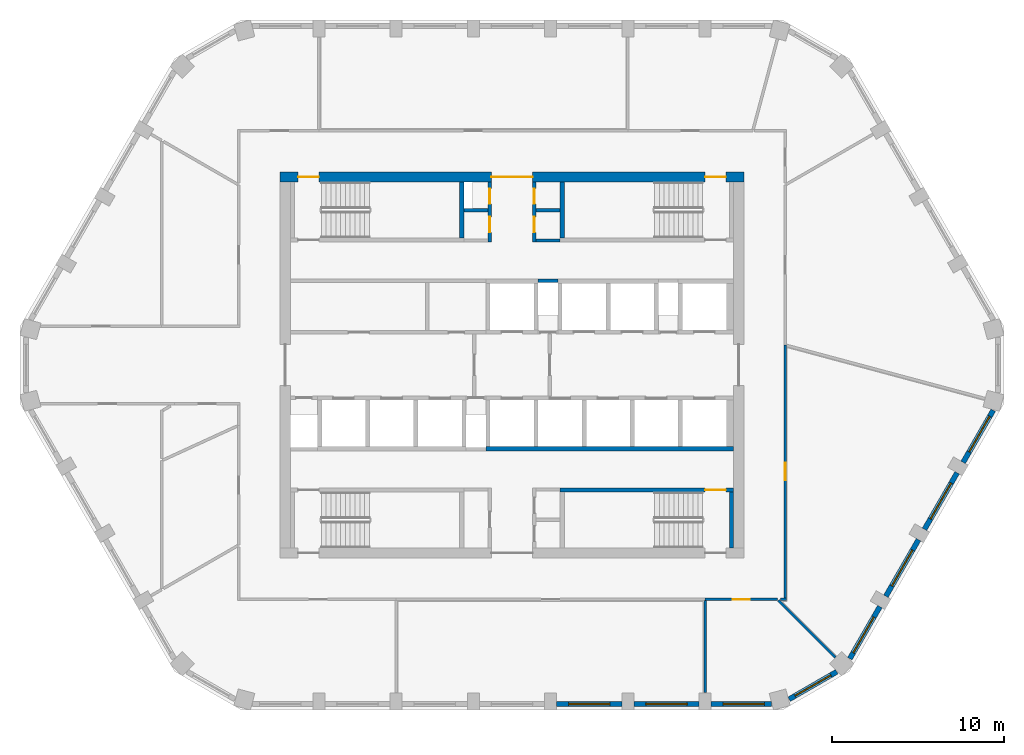
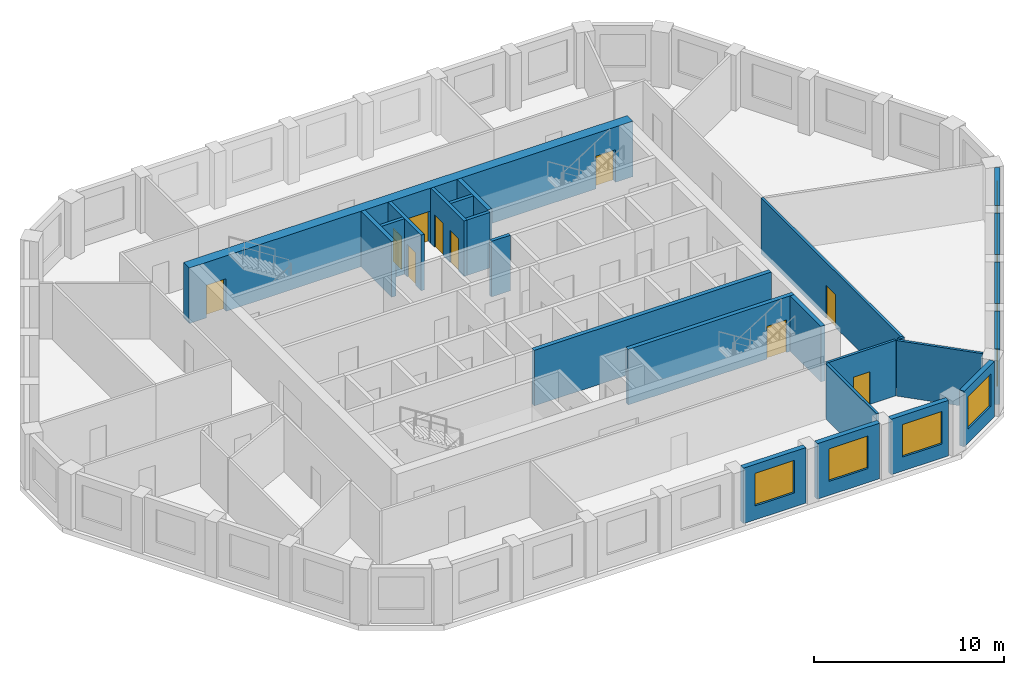
# One storey, part 4 of 10: 25 walls, 10 doors, 8 windows, 18 openings.
"""IFC4 building model written with IfcOpenShell, lengths in metres."""

from ifc_helpers import new_model, si_unit, direction, frame, frame_2d, origin, place, context, subcontext, project, spatial, polyline, rectangle, outline, extrude, material, layer, layer_set, type_object, element, fill, save


model = new_model("IFC4")

# Units and contexts
model_context = context("Model", 3, precision=1e-05, world=origin(), true_north=direction((0.0, 1.0)))
body_context = subcontext(model_context, "Body", "Model", "MODEL_VIEW")
ifc_project = project(units=[si_unit("LENGTHUNIT", "METRE"), si_unit("AREAUNIT", "SQUARE_METRE"), si_unit("VOLUMEUNIT", "CUBIC_METRE"), si_unit("PLANEANGLEUNIT", "RADIAN"), si_unit("MASSUNIT", "GRAM", prefix="KILO")], contexts=[model_context])

# Site, building, storey
site_placement = place(None, origin())
site = spatial("IfcSite", under=ifc_project, at=site_placement, CompositionType="ELEMENT")
building_placement = place(site_placement, origin())
building = spatial("IfcBuilding", under=site, at=building_placement, Name="Dhurran Vertical Campus", CompositionType="ELEMENT")
storey_placement = place(building_placement, frame((0.0, 0.0, 239.10009765625)))
storey = spatial("IfcBuildingStorey", under=building, at=storey_placement, Name="L59", CompositionType="ELEMENT", Elevation=239.10009765625)

# Wall, opening, window
ifc_material_1 = material(Name="Precast concrete C50/60", Category="concrete")
ifc_layer_1 = layer(ifc_material_1, 0.300048828125)
ifc_layer_set_1 = layer_set([ifc_layer_1], Name="Precast concrete C50/60")
wall_type_1 = type_object("IfcWallType", Name="Precast spandrel wall 300", PredefinedType="SOLIDWALL", material=ifc_layer_set_1)
wall_1_placement = place(storey_placement, frame((2.6005859375, -19.738525390625, 0.0), z_axis=(0.0, 0.0, 1.0), x_axis=(1.0, 0.0, 0.0)))
wall_1 = element("IfcWall", 1, at=wall_1_placement, inside=storey, type_object=wall_type_1, Name="EW1 L59.04", PredefinedType="SOLIDWALL", context=body_context, shape_type="SweptSolid", body=[
    extrude(rectangle(XDim=3.798828125, YDim=0.300048828125, at=frame_2d((1.8994140625, 0.0))), origin(), (0.0, 0.0, 1.0), 3.574951171875),
])
opening_1_placement = place(wall_1_placement, frame((0.699462890625, 0.0, 0.89990234375)))
opening_1 = element("IfcOpeningElement", 2, at=opening_1_placement, cuts=wall_1, Name="Opening WT1", PredefinedType="OPENING", context=body_context, shape_type="SweptSolid", body=[
    extrude(rectangle(XDim=2.39990234375, YDim=2.10009765625, at=frame_2d((1.199951171875, 1.050048828125))), frame((0.0, 0.159912109375, 0.0), z_axis=(0.0, -1.0, 0.0), x_axis=(1.0, 0.0, 0.0)), (0.0, 0.0, 1.0), 0.320068359375),
])
ifc_material_2 = material(Name="Aluminium frame with solar-control glass", Category="aluminium")
window_type = type_object("IfcWindowType", Name="Punched window 2400 x 2100", PartitioningType="SINGLE_PANEL", PredefinedType="WINDOW", material=ifc_material_2)
window_1_placement = place(opening_1_placement, origin())
window_1 = element("IfcWindow", 3, at=window_1_placement, inside=storey, type_object=window_type, Name="WT1 L59.04", OverallHeight=2.10009765625, OverallWidth=2.39990234375, PartitioningType="SINGLE_PANEL", PredefinedType="WINDOW", context=body_context, shape_type="SweptSolid", body=[
    extrude(rectangle(XDim=2.39990234375, YDim=2.10009765625, at=frame_2d((1.199951171875, 1.050048828125))), frame((0.0, 0.030029296875, 0.0), z_axis=(0.0, -1.0, 0.0), x_axis=(1.0, 0.0, 0.0)), (0.0, 0.0, 1.0), 0.06005859375),
])
fill(opening_1, window_1)

wall_2_placement = place(storey_placement, frame((7.1005859375, -19.738525390625, 0.0), z_axis=(0.0, 0.0, 1.0), x_axis=(1.0, 0.0, 0.0)))
wall_2 = element("IfcWall", 4, at=wall_2_placement, inside=storey, type_object=wall_type_1, Name="EW1 L59.05", PredefinedType="SOLIDWALL", context=body_context, shape_type="SweptSolid", body=[
    extrude(rectangle(XDim=3.798828125, YDim=0.300048828125, at=frame_2d((1.8994140625, 0.0))), origin(), (0.0, 0.0, 1.0), 3.574951171875),
])
opening_2_placement = place(wall_2_placement, frame((0.699462890625, 0.0, 0.89990234375)))
opening_2 = element("IfcOpeningElement", 5, at=opening_2_placement, cuts=wall_2, Name="Opening WT1", PredefinedType="OPENING", context=body_context, shape_type="SweptSolid", body=[
    extrude(rectangle(XDim=2.39990234375, YDim=2.10009765625, at=frame_2d((1.199951171875, 1.050048828125))), frame((0.0, 0.159912109375, 0.0), z_axis=(0.0, -1.0, 0.0), x_axis=(1.0, 0.0, 0.0)), (0.0, 0.0, 1.0), 0.320068359375),
])
window_2_placement = place(opening_2_placement, origin())
window_2 = element("IfcWindow", 6, at=window_2_placement, inside=storey, type_object=window_type, Name="WT1 L59.05", OverallHeight=2.10009765625, OverallWidth=2.39990234375, PartitioningType="SINGLE_PANEL", PredefinedType="WINDOW", context=body_context, shape_type="SweptSolid", body=[
    extrude(rectangle(XDim=2.39990234375, YDim=2.10009765625, at=frame_2d((1.199951171875, 1.050048828125))), frame((0.0, 0.030029296875, 0.0), z_axis=(0.0, -1.0, 0.0), x_axis=(1.0, 0.0, 0.0)), (0.0, 0.0, 1.0), 0.06005859375),
])
fill(opening_2, window_2)

wall_3_placement = place(storey_placement, frame((11.6005859375, -19.738525390625, 0.0), z_axis=(0.0, 0.0, 1.0), x_axis=(1.0, 0.0, 0.0)))
wall_3 = element("IfcWall", 7, at=wall_3_placement, inside=storey, type_object=wall_type_1, Name="EW1 L59.06", PredefinedType="SOLIDWALL", context=body_context, shape_type="SweptSolid", body=[
    extrude(rectangle(XDim=3.49755859375, YDim=0.300048828125, at=frame_2d((1.748779296875, 0.0))), origin(), (0.0, 0.0, 1.0), 3.574951171875),
])
opening_3_placement = place(wall_3_placement, frame((0.699462890625, 0.0, 0.89990234375)))
opening_3 = element("IfcOpeningElement", 8, at=opening_3_placement, cuts=wall_3, Name="Opening WT1", PredefinedType="OPENING", context=body_context, shape_type="SweptSolid", body=[
    extrude(rectangle(XDim=2.39990234375, YDim=2.10009765625, at=frame_2d((1.199951171875, 1.050048828125))), frame((0.0, 0.159912109375, 0.0), z_axis=(0.0, -1.0, 0.0), x_axis=(1.0, 0.0, 0.0)), (0.0, 0.0, 1.0), 0.320068359375),
])
window_3_placement = place(opening_3_placement, origin())
window_3 = element("IfcWindow", 9, at=window_3_placement, inside=storey, type_object=window_type, Name="WT1 L59.06", OverallHeight=2.10009765625, OverallWidth=2.39990234375, PartitioningType="SINGLE_PANEL", PredefinedType="WINDOW", context=body_context, shape_type="SweptSolid", body=[
    extrude(rectangle(XDim=2.39990234375, YDim=2.10009765625, at=frame_2d((1.199951171875, 1.050048828125))), frame((0.0, 0.030029296875, 0.0), z_axis=(0.0, -1.0, 0.0), x_axis=(1.0, 0.0, 0.0)), (0.0, 0.0, 1.0), 0.06005859375),
])
fill(opening_3, window_3)

wall_4_placement = place(storey_placement, frame((16.1396484375, -19.45947265625, 0.0), z_axis=(0.0, 0.0, 1.0), x_axis=(0.866025316205, 0.500000151692, 0.0)))
wall_4 = element("IfcWall", 10, at=wall_4_placement, inside=storey, type_object=wall_type_1, Name="EW1 L59.07", PredefinedType="SOLIDWALL", context=body_context, shape_type="SweptSolid", body=[
    extrude(rectangle(XDim=3.1962890625, YDim=0.300048828125, at=frame_2d((1.59814453125, 0.0))), origin(), (0.0, 0.0, 1.0), 3.574951171875),
])
opening_4_placement = place(wall_4_placement, frame((0.398193359375, 0.0, 0.89990234375)))
opening_4 = element("IfcOpeningElement", 11, at=opening_4_placement, cuts=wall_4, Name="Opening WT1", PredefinedType="OPENING", context=body_context, shape_type="SweptSolid", body=[
    extrude(rectangle(XDim=2.39990234375, YDim=2.10009765625, at=frame_2d((1.199951171875, 1.050048828125))), frame((0.0, 0.159912109375, 0.0), z_axis=(0.0, -1.0, 0.0), x_axis=(1.0, 0.0, 0.0)), (0.0, 0.0, 1.0), 0.320068359375),
])
window_4_placement = place(opening_4_placement, origin())
window_4 = element("IfcWindow", 12, at=window_4_placement, inside=storey, type_object=window_type, Name="WT1 L59.07", OverallHeight=2.10009765625, OverallWidth=2.39990234375, PartitioningType="SINGLE_PANEL", PredefinedType="WINDOW", context=body_context, shape_type="SweptSolid", body=[
    extrude(rectangle(XDim=2.39990234375, YDim=2.10009765625, at=frame_2d((1.199951171875, 1.050048828125))), frame((0.0, 0.030029296875, 0.0), z_axis=(0.0, -1.0, 0.0), x_axis=(1.0, 0.0, 0.0)), (0.0, 0.0, 1.0), 0.06005859375),
])
fill(opening_4, window_4)

wall_5_placement = place(storey_placement, frame((19.669921875, -17.09912109375, 0.0), z_axis=(0.0, 0.0, 1.0), x_axis=(0.499960102815, 0.866048437209, 0.0)))
wall_5 = element("IfcWall", 13, at=wall_5_placement, inside=storey, type_object=wall_type_1, Name="EW1 L59.08", PredefinedType="SOLIDWALL", context=body_context, shape_type="SweptSolid", body=[
    extrude(rectangle(XDim=3.497802734375, YDim=0.300048828125, at=frame_2d((1.7490234375, 0.0))), origin(), (0.0, 0.0, 1.0), 3.574951171875),
])
opening_5_placement = place(wall_5_placement, frame((0.398193359375, 0.0, 0.89990234375)))
opening_5 = element("IfcOpeningElement", 14, at=opening_5_placement, cuts=wall_5, Name="Opening WT1", PredefinedType="OPENING", context=body_context, shape_type="SweptSolid", body=[
    extrude(rectangle(XDim=2.39990234375, YDim=2.10009765625, at=frame_2d((1.199951171875, 1.050048828125))), frame((0.0, 0.159912109375, 0.0), z_axis=(0.0, -1.0, 0.0), x_axis=(1.0, 0.0, 0.0)), (0.0, 0.0, 1.0), 0.320068359375),
])
window_5_placement = place(opening_5_placement, origin())
window_5 = element("IfcWindow", 15, at=window_5_placement, inside=storey, type_object=window_type, Name="WT1 L59.08", OverallHeight=2.10009765625, OverallWidth=2.39990234375, PartitioningType="SINGLE_PANEL", PredefinedType="WINDOW", context=body_context, shape_type="SweptSolid", body=[
    extrude(rectangle(XDim=2.39990234375, YDim=2.10009765625, at=frame_2d((1.199951171875, 1.050048828125))), frame((0.0, 0.030029296875, 0.0), z_axis=(0.0, -1.0, 0.0), x_axis=(1.0, 0.0, 0.0)), (0.0, 0.0, 1.0), 0.06005859375),
])
fill(opening_5, window_5)

wall_6_placement = place(storey_placement, frame((21.769287109375, -13.462890625, 0.0), z_axis=(0.0, 0.0, 1.0), x_axis=(0.499982058975, 0.866035761792, 0.0)))
wall_6 = element("IfcWall", 16, at=wall_6_placement, inside=storey, type_object=wall_type_1, Name="EW1 L59.09", PredefinedType="SOLIDWALL", context=body_context, shape_type="SweptSolid", body=[
    extrude(rectangle(XDim=3.799072265625, YDim=0.300048828125, at=frame_2d((1.8994140625, 0.0))), origin(), (0.0, 0.0, 1.0), 3.574951171875),
])
opening_6_placement = place(wall_6_placement, frame((0.699462890625, 0.0, 0.89990234375)))
opening_6 = element("IfcOpeningElement", 17, at=opening_6_placement, cuts=wall_6, Name="Opening WT1", PredefinedType="OPENING", context=body_context, shape_type="SweptSolid", body=[
    extrude(rectangle(XDim=2.39990234375, YDim=2.10009765625, at=frame_2d((1.199951171875, 1.050048828125))), frame((0.0, 0.159912109375, 0.0), z_axis=(0.0, -1.0, 0.0), x_axis=(1.0, 0.0, 0.0)), (0.0, 0.0, 1.0), 0.320068359375),
])
window_6_placement = place(opening_6_placement, origin())
window_6 = element("IfcWindow", 18, at=window_6_placement, inside=storey, type_object=window_type, Name="WT1 L59.09", OverallHeight=2.10009765625, OverallWidth=2.39990234375, PartitioningType="SINGLE_PANEL", PredefinedType="WINDOW", context=body_context, shape_type="SweptSolid", body=[
    extrude(rectangle(XDim=2.39990234375, YDim=2.10009765625, at=frame_2d((1.199951171875, 1.050048828125))), frame((0.0, 0.030029296875, 0.0), z_axis=(0.0, -1.0, 0.0), x_axis=(1.0, 0.0, 0.0)), (0.0, 0.0, 1.0), 0.06005859375),
])
fill(opening_6, window_6)

wall_7_placement = place(storey_placement, frame((24.019287109375, -9.565673828125, 0.0), z_axis=(0.0, 0.0, 1.0), x_axis=(0.499982058975, 0.866035761792, 0.0)))
wall_7 = element("IfcWall", 19, at=wall_7_placement, inside=storey, type_object=wall_type_1, Name="EW1 L59.10", PredefinedType="SOLIDWALL", context=body_context, shape_type="SweptSolid", body=[
    extrude(rectangle(XDim=3.799072265625, YDim=0.300048828125, at=frame_2d((1.8994140625, 0.0))), origin(), (0.0, 0.0, 1.0), 3.574951171875),
])
opening_7_placement = place(wall_7_placement, frame((0.699462890625, 0.0, 0.89990234375)))
opening_7 = element("IfcOpeningElement", 20, at=opening_7_placement, cuts=wall_7, Name="Opening WT1", PredefinedType="OPENING", context=body_context, shape_type="SweptSolid", body=[
    extrude(rectangle(XDim=2.39990234375, YDim=2.10009765625, at=frame_2d((1.199951171875, 1.050048828125))), frame((0.0, 0.159912109375, 0.0), z_axis=(0.0, -1.0, 0.0), x_axis=(1.0, 0.0, 0.0)), (0.0, 0.0, 1.0), 0.320068359375),
])
window_7_placement = place(opening_7_placement, origin())
window_7 = element("IfcWindow", 21, at=window_7_placement, inside=storey, type_object=window_type, Name="WT1 L59.10", OverallHeight=2.10009765625, OverallWidth=2.39990234375, PartitioningType="SINGLE_PANEL", PredefinedType="WINDOW", context=body_context, shape_type="SweptSolid", body=[
    extrude(rectangle(XDim=2.39990234375, YDim=2.10009765625, at=frame_2d((1.199951171875, 1.050048828125))), frame((0.0, 0.030029296875, 0.0), z_axis=(0.0, -1.0, 0.0), x_axis=(1.0, 0.0, 0.0)), (0.0, 0.0, 1.0), 0.06005859375),
])
fill(opening_7, window_7)

wall_8_placement = place(storey_placement, frame((26.269287109375, -5.668701171875, 0.0), z_axis=(0.0, 0.0, 1.0), x_axis=(0.499990325971, 0.866030989016, 0.0)))
wall_8 = element("IfcWall", 22, at=wall_8_placement, inside=storey, type_object=wall_type_1, Name="EW1 L59.11", PredefinedType="SOLIDWALL", context=body_context, shape_type="SweptSolid", body=[
    extrude(rectangle(XDim=3.49755859375, YDim=0.300048828125, at=frame_2d((1.748779296875, 0.0))), origin(), (0.0, 0.0, 1.0), 3.574951171875),
])
opening_8_placement = place(wall_8_placement, frame((0.699462890625, 0.0, 0.89990234375)))
opening_8 = element("IfcOpeningElement", 23, at=opening_8_placement, cuts=wall_8, Name="Opening WT1", PredefinedType="OPENING", context=body_context, shape_type="SweptSolid", body=[
    extrude(rectangle(XDim=2.39990234375, YDim=2.10009765625, at=frame_2d((1.199951171875, 1.050048828125))), frame((0.0, 0.159912109375, 0.0), z_axis=(0.0, -1.0, 0.0), x_axis=(1.0, 0.0, 0.0)), (0.0, 0.0, 1.0), 0.320068359375),
])
window_8_placement = place(opening_8_placement, origin())
window_8 = element("IfcWindow", 24, at=window_8_placement, inside=storey, type_object=window_type, Name="WT1 L59.11", OverallHeight=2.10009765625, OverallWidth=2.39990234375, PartitioningType="SINGLE_PANEL", PredefinedType="WINDOW", context=body_context, shape_type="SweptSolid", body=[
    extrude(rectangle(XDim=2.39990234375, YDim=2.10009765625, at=frame_2d((1.199951171875, 1.050048828125))), frame((0.0, 0.030029296875, 0.0), z_axis=(0.0, -1.0, 0.0), x_axis=(1.0, 0.0, 0.0)), (0.0, 0.0, 1.0), 0.06005859375),
])
fill(opening_8, window_8)

# Wall, openings, doors
ifc_material_3 = material(Name="Concrete C50/60", Category="concrete")
ifc_layer_2 = layer(ifc_material_3, 0.60009765625)
ifc_layer_set_2 = layer_set([ifc_layer_2], Name="Concrete C50/60")
wall_type_2 = type_object("IfcWallType", Name="co-CORE-WALL-C2-600", PredefinedType="SHEAR", material=ifc_layer_set_2)
wall_9_placement = place(storey_placement, frame((-13.5, 10.949951171875, 0.0), z_axis=(0.0, 0.0, 1.0), x_axis=(1.0, 0.0, 0.0)))
wall_9 = element("IfcWall", 25, at=wall_9_placement, inside=storey, type_object=wall_type_2, Name="Core wall N L59", PredefinedType="SHEAR", context=body_context, shape_type="SweptSolid", body=[
    extrude(rectangle(XDim=27.0, YDim=0.60009765625, at=frame_2d((13.5, 0.0))), origin(), (0.0, 0.0, 1.0), 3.574951171875),
])
opening_9_placement = place(wall_9_placement, frame((12.300048828125, 0.0, 0.0)))
opening_9 = element("IfcOpeningElement", 26, at=opening_9_placement, cuts=wall_9, Name="Opening CV1", PredefinedType="OPENING", context=body_context, shape_type="SweptSolid", body=[
    extrude(rectangle(XDim=2.39990234375, YDim=2.10009765625, at=frame_2d((1.199951171875, 1.050048828125))), frame((0.0, 0.31005859375, 0.0), z_axis=(0.0, -1.0, 0.0), x_axis=(1.0, 0.0, 0.0)), (0.0, 0.0, 1.0), 0.6201171875),
])
opening_10_placement = place(wall_9_placement, frame((1.050048828125, 0.0, 0.0)))
opening_10 = element("IfcOpeningElement", 27, at=opening_10_placement, cuts=wall_9, Name="Opening XD1", PredefinedType="OPENING", context=body_context, shape_type="SweptSolid", body=[
    extrude(rectangle(XDim=1.199951171875, YDim=2.10009765625, at=frame_2d((0.60009765625, 1.050048828125))), frame((0.0, 0.31005859375, 0.0), z_axis=(0.0, -1.0, 0.0), x_axis=(1.0, 0.0, 0.0)), (0.0, 0.0, 1.0), 0.6201171875),
])
opening_11_placement = place(wall_9_placement, frame((24.75, 0.0, 0.0)))
opening_11 = element("IfcOpeningElement", 28, at=opening_11_placement, cuts=wall_9, Name="Opening XD2", PredefinedType="OPENING", context=body_context, shape_type="SweptSolid", body=[
    extrude(rectangle(XDim=1.199951171875, YDim=2.10009765625, at=frame_2d((0.60009765625, 1.050048828125))), frame((0.0, 0.31005859375, 0.0), z_axis=(0.0, -1.0, 0.0), x_axis=(1.0, 0.0, 0.0)), (0.0, 0.0, 1.0), 0.6201171875),
])
ifc_material_4 = material(Name="Fire-rated glazed door set")
door_type_1 = type_object("IfcDoorType", Name="co-D-LOBBY 2400x2100", OperationType="DOUBLE_DOOR_DOUBLE_SWING", PredefinedType="DOOR", material=ifc_material_4)
door_1_placement = place(opening_9_placement, origin())
door_1 = element("IfcDoor", 29, at=door_1_placement, inside=storey, type_object=door_type_1, Name="Core vestibule door N L59", OperationType="DOUBLE_DOOR_DOUBLE_SWING", OverallHeight=2.10009765625, OverallWidth=2.39990234375, PredefinedType="DOOR", context=body_context, shape_type="SweptSolid", body=[
    extrude(rectangle(XDim=2.39990234375, YDim=2.10009765625, at=frame_2d((1.199951171875, 1.050048828125))), frame((0.0, 0.02490234375, 0.0), z_axis=(0.0, -1.0, 0.0), x_axis=(1.0, 0.0, 0.0)), (0.0, 0.0, 1.0), 0.050048828125),
])
fill(opening_9, door_1)
ifc_material_5 = material(Name="Fire-rated steel door set", Category="steel")
door_type_2 = type_object("IfcDoorType", Name="co-D-STAIR-EXIT 1200x2100", OperationType="SINGLE_SWING_RIGHT", PredefinedType="DOOR", material=ifc_material_5)
door_2_placement = place(opening_10_placement, origin())
door_2 = element("IfcDoor", 30, at=door_2_placement, inside=storey, type_object=door_type_2, Name="Stair ST1 exit door L59", OperationType="SINGLE_SWING_RIGHT", OverallHeight=2.10009765625, OverallWidth=1.199951171875, PredefinedType="DOOR", context=body_context, shape_type="SweptSolid", body=[
    extrude(rectangle(XDim=1.199951171875, YDim=2.10009765625, at=frame_2d((0.60009765625, 1.050048828125))), frame((0.0, 0.02490234375, 0.0), z_axis=(0.0, -1.0, 0.0), x_axis=(1.0, 0.0, 0.0)), (0.0, 0.0, 1.0), 0.050048828125),
])
fill(opening_10, door_2)
door_3_placement = place(opening_11_placement, origin())
door_3 = element("IfcDoor", 31, at=door_3_placement, inside=storey, type_object=door_type_2, Name="Stair ST2 exit door L59", OperationType="SINGLE_SWING_RIGHT", OverallHeight=2.10009765625, OverallWidth=1.199951171875, PredefinedType="DOOR", context=body_context, shape_type="SweptSolid", body=[
    extrude(rectangle(XDim=1.199951171875, YDim=2.10009765625, at=frame_2d((0.60009765625, 1.050048828125))), frame((0.0, 0.02490234375, 0.0), z_axis=(0.0, -1.0, 0.0), x_axis=(1.0, 0.0, 0.0)), (0.0, 0.0, 1.0), 0.050048828125),
])
fill(opening_11, door_3)

# Walls
ifc_material_6 = material(Name="Fire-rated masonry blockwork", Category="masonry")
ifc_layer_3 = layer(ifc_material_6, 0.199951171875)
ifc_layer_set_3 = layer_set([ifc_layer_3], Name="Fire-rated masonry blockwork")
wall_type_3 = type_object("IfcWallType", Name="co-FIRE-PARTITION-200", PredefinedType="PARTITIONING", material=ifc_layer_set_3)
for number, where, z_axis, x_axis, name in (
    (32, (-2.800048828125, 9.0, 0.0), (0.0, 0.0, 1.0), (1.0, 0.0, 0.0), "Core partition sl-NW-cut0 L59"),
    (33, (1.39990234375, 7.25, 0.0), (0.0, 0.0, 1.0), (1.0, 0.0, 0.0), "Core partition sl-NE-S L59"),
    (34, (1.39990234375, 9.0, 0.0), (0.0, 0.0, 1.0), (1.0, 0.0, 0.0), "Core partition sl-NE-cut0 L59"),
):
    element("IfcWall", number, at=place(storey_placement, frame(where, z_axis=z_axis, x_axis=x_axis)), inside=storey, type_object=wall_type_3, Name=name, PredefinedType="PARTITIONING", context=body_context, shape_type="SweptSolid", body=[
        extrude(rectangle(XDim=1.400146484375, YDim=0.199951171875, at=frame_2d((0.7001953125, 0.0))), origin(), (0.0, 0.0, 1.0), 3.574951171875),
    ])

# Wall, openings, doors
wall_10_placement = place(storey_placement, frame((-1.300048828125, 7.14990234375, 0.0), z_axis=(0.0, 0.0, 1.0), x_axis=(0.0, 1.0, 0.0)))
wall_10 = element("IfcWall", 35, at=wall_10_placement, inside=storey, type_object=wall_type_3, Name="Core partition vest-NW L59", PredefinedType="PARTITIONING", context=body_context, shape_type="SweptSolid", body=[
    extrude(rectangle(XDim=3.5, YDim=0.199951171875, at=frame_2d((1.75, 0.0))), origin(), (0.0, 0.0, 1.0), 3.574951171875),
])
opening_12_placement = place(wall_10_placement, frame((0.574951171875, 0.0, 0.0)))
opening_12 = element("IfcOpeningElement", 36, at=opening_12_placement, cuts=wall_10, Name="Opening T17-C4", PredefinedType="OPENING", context=body_context, shape_type="SweptSolid", body=[
    extrude(rectangle(XDim=0.89990234375, YDim=2.10009765625, at=frame_2d((0.449951171875, 1.050048828125))), frame((0.0, 0.10986328125, 0.0), z_axis=(0.0, -1.0, 0.0), x_axis=(1.0, 0.0, 0.0)), (0.0, 0.0, 1.0), 0.219970703125),
])
opening_13_placement = place(wall_10_placement, frame((2.22509765625, 0.0, 0.0)))
opening_13 = element("IfcOpeningElement", 37, at=opening_13_placement, cuts=wall_10, Name="Opening T17-C5", PredefinedType="OPENING", context=body_context, shape_type="SweptSolid", body=[
    extrude(rectangle(XDim=0.89990234375, YDim=2.10009765625, at=frame_2d((0.449951171875, 1.050048828125))), frame((0.0, 0.10986328125, 0.0), z_axis=(0.0, -1.0, 0.0), x_axis=(1.0, 0.0, 0.0)), (0.0, 0.0, 1.0), 0.219970703125),
])
ifc_material_7 = material(Name="Fire-rated timber door set", Category="wood")
door_type_3 = type_object("IfcDoorType", Name="co-D-ROOM 900x2100", OperationType="SINGLE_SWING_LEFT", PredefinedType="DOOR", material=ifc_material_7)
door_4_placement = place(opening_12_placement, origin())
door_4 = element("IfcDoor", 38, at=door_4_placement, inside=storey, type_object=door_type_3, Name="Waste room door L59", OperationType="SINGLE_SWING_LEFT", OverallHeight=2.10009765625, OverallWidth=0.89990234375, PredefinedType="DOOR", context=body_context, shape_type="SweptSolid", body=[
    extrude(rectangle(XDim=0.89990234375, YDim=2.10009765625, at=frame_2d((0.449951171875, 1.050048828125))), frame((0.0, 0.02490234375, 0.0), z_axis=(0.0, -1.0, 0.0), x_axis=(1.0, 0.0, 0.0)), (0.0, 0.0, 1.0), 0.050048828125),
])
fill(opening_12, door_4)
door_5_placement = place(opening_13_placement, origin())
door_5 = element("IfcDoor", 39, at=door_5_placement, inside=storey, type_object=door_type_3, Name="Electrical riser door L59", OperationType="SINGLE_SWING_LEFT", OverallHeight=2.10009765625, OverallWidth=0.89990234375, PredefinedType="DOOR", context=body_context, shape_type="SweptSolid", body=[
    extrude(rectangle(XDim=0.89990234375, YDim=2.10009765625, at=frame_2d((0.449951171875, 1.050048828125))), frame((0.0, 0.02490234375, 0.0), z_axis=(0.0, -1.0, 0.0), x_axis=(1.0, 0.0, 0.0)), (0.0, 0.0, 1.0), 0.050048828125),
])
fill(opening_13, door_5)

wall_11_placement = place(storey_placement, frame((1.300048828125, 7.14990234375, 0.0), z_axis=(0.0, 0.0, 1.0), x_axis=(0.0, 1.0, 0.0)))
wall_11 = element("IfcWall", 40, at=wall_11_placement, inside=storey, type_object=wall_type_3, Name="Core partition vest-NE L59", PredefinedType="PARTITIONING", context=body_context, shape_type="SweptSolid", body=[
    extrude(rectangle(XDim=3.5, YDim=0.199951171875, at=frame_2d((1.75, 0.0))), origin(), (0.0, 0.0, 1.0), 3.574951171875),
])
opening_14_placement = place(wall_11_placement, frame((0.574951171875, 0.0, 0.0)))
opening_14 = element("IfcOpeningElement", 41, at=opening_14_placement, cuts=wall_11, Name="Opening T17-C6", PredefinedType="OPENING", context=body_context, shape_type="SweptSolid", body=[
    extrude(rectangle(XDim=0.89990234375, YDim=2.10009765625, at=frame_2d((0.449951171875, 1.050048828125))), frame((0.0, 0.10986328125, 0.0), z_axis=(0.0, -1.0, 0.0), x_axis=(1.0, 0.0, 0.0)), (0.0, 0.0, 1.0), 0.219970703125),
])
opening_15_placement = place(wall_11_placement, frame((2.22509765625, 0.0, 0.0)))
opening_15 = element("IfcOpeningElement", 42, at=opening_15_placement, cuts=wall_11, Name="Opening T17-C7", PredefinedType="OPENING", context=body_context, shape_type="SweptSolid", body=[
    extrude(rectangle(XDim=0.89990234375, YDim=2.10009765625, at=frame_2d((0.449951171875, 1.050048828125))), frame((0.0, 0.10986328125, 0.0), z_axis=(0.0, -1.0, 0.0), x_axis=(1.0, 0.0, 0.0)), (0.0, 0.0, 1.0), 0.219970703125),
])
door_6_placement = place(opening_14_placement, origin())
door_6 = element("IfcDoor", 43, at=door_6_placement, inside=storey, type_object=door_type_3, Name="Pantry door L59", OperationType="SINGLE_SWING_LEFT", OverallHeight=2.10009765625, OverallWidth=0.89990234375, PredefinedType="DOOR", context=body_context, shape_type="SweptSolid", body=[
    extrude(rectangle(XDim=0.89990234375, YDim=2.10009765625, at=frame_2d((0.449951171875, 1.050048828125))), frame((0.0, 0.02490234375, 0.0), z_axis=(0.0, -1.0, 0.0), x_axis=(1.0, 0.0, 0.0)), (0.0, 0.0, 1.0), 0.050048828125),
])
fill(opening_14, door_6)
door_7_placement = place(opening_15_placement, origin())
door_7 = element("IfcDoor", 44, at=door_7_placement, inside=storey, type_object=door_type_3, Name="Housekeeping store door L59", OperationType="SINGLE_SWING_LEFT", OverallHeight=2.10009765625, OverallWidth=0.89990234375, PredefinedType="DOOR", context=body_context, shape_type="SweptSolid", body=[
    extrude(rectangle(XDim=0.89990234375, YDim=2.10009765625, at=frame_2d((0.449951171875, 1.050048828125))), frame((0.0, 0.02490234375, 0.0), z_axis=(0.0, -1.0, 0.0), x_axis=(1.0, 0.0, 0.0)), (0.0, 0.0, 1.0), 0.050048828125),
])
fill(opening_15, door_7)

# Walls
wall_12_placement = place(storey_placement, frame((1.52490234375, 4.89990234375, 0.0), z_axis=(0.0, 0.0, 1.0), x_axis=(1.0, 0.0, 0.0)))
element("IfcWall", 45, at=wall_12_placement, inside=storey, type_object=wall_type_3, Name="Core partition fr-N1-b L59", PredefinedType="PARTITIONING", context=body_context, shape_type="SweptSolid", body=[
    extrude(rectangle(XDim=1.150146484375, YDim=0.199951171875, at=frame_2d((0.5751953125, 0.0))), origin(), (0.0, 0.0, 1.0), 3.574951171875),
])
ifc_material_8 = material(Name="Concrete C50/60", Category="concrete")
ifc_layer_4 = layer(ifc_material_8, 0.25)
ifc_layer_set_4 = layer_set([ifc_layer_4], Name="Concrete C50/60")
wall_type_4 = type_object("IfcWallType", Name="co-SHAFT-MASS-250", PredefinedType="SHEAR", material=ifc_layer_set_4)
wall_13_placement = place(storey_placement, origin())
element("IfcWall", 46, at=wall_13_placement, inside=storey, type_object=wall_type_4, Name="Lift shaft wall S L59 2", PredefinedType="SHEAR", context=body_context, shape_type="SweptSolid", body=[
    extrude(outline(polyline([(-1.52490234375, -5.0), (12.89990234375, -5.0), (12.89990234375, -4.75), (-1.52490234375, -4.75), (-1.52490234375, -5.0)])), origin(), (0.0, 0.0, 1.0), 3.574951171875),
])
ifc_material_9 = material(Name="Concrete C40/50", Category="concrete")
ifc_layer_5 = layer(ifc_material_9, 0.25)
ifc_layer_set_5 = layer_set([ifc_layer_5], Name="Concrete C40/50")
wall_type_5 = type_object("IfcWallType", Name="co-STAIR-WALL-250", PredefinedType="SHEAR", material=ifc_layer_set_5)
for number, where, z_axis, x_axis, name in (
    (47, (-2.925048828125, 7.39990234375, 0.0), (0.0, 0.0, 1.0), (0.0, 1.0, 0.0), "Stair ST1 enclosure wall L59"),
    (48, (2.925048828125, 7.39990234375, 0.0), (0.0, 0.0, 1.0), (0.0, 1.0, 0.0), "Stair ST2 enclosure wall L59"),
):
    element("IfcWall", number, at=place(storey_placement, frame(where, z_axis=z_axis, x_axis=x_axis)), inside=storey, type_object=wall_type_5, Name=name, PredefinedType="SHEAR", context=body_context, shape_type="SweptSolid", body=[
        extrude(rectangle(XDim=3.25, YDim=0.25, at=frame_2d((1.625, 0.0))), origin(), (0.0, 0.0, 1.0), 3.574951171875),
    ])

# Wall, opening, door
wall_14_placement = place(storey_placement, frame((2.800048828125, -7.27490234375, 0.0), z_axis=(0.0, 0.0, 1.0), x_axis=(1.0, 0.0, 0.0)))
wall_14 = element("IfcWall", 49, at=wall_14_placement, inside=storey, type_object=wall_type_5, Name="Stair ST4 enclosure wall L59", PredefinedType="SHEAR", context=body_context, shape_type="SweptSolid", body=[
    extrude(rectangle(XDim=10.099853515625, YDim=0.25, at=frame_2d((5.0498046875, 0.0))), origin(), (0.0, 0.0, 1.0), 3.574951171875),
])
opening_16_placement = place(wall_14_placement, frame((8.449951171875, 0.0, 0.0)))
opening_16 = element("IfcOpeningElement", 50, at=opening_16_placement, cuts=wall_14, Name="Opening SD4", PredefinedType="OPENING", context=body_context, shape_type="SweptSolid", body=[
    extrude(rectangle(XDim=1.199951171875, YDim=2.10009765625, at=frame_2d((0.60009765625, 1.050048828125))), frame((0.0, 0.135009765625, 0.0), z_axis=(0.0, -1.0, 0.0), x_axis=(1.0, 0.0, 0.0)), (0.0, 0.0, 1.0), 0.27001953125),
])
ifc_material_10 = material(Name="Fire-rated steel door set", Category="steel")
door_type_4 = type_object("IfcDoorType", Name="co-D-STAIR 1200x2100", OperationType="SINGLE_SWING_LEFT", PredefinedType="DOOR", material=ifc_material_10)
door_8_placement = place(opening_16_placement, origin())
door_8 = element("IfcDoor", 51, at=door_8_placement, inside=storey, type_object=door_type_4, Name="Stair ST4 door L59", OperationType="SINGLE_SWING_LEFT", OverallHeight=2.10009765625, OverallWidth=1.199951171875, PredefinedType="DOOR", context=body_context, shape_type="SweptSolid", body=[
    extrude(rectangle(XDim=1.199951171875, YDim=2.10009765625, at=frame_2d((0.60009765625, 1.050048828125))), frame((0.0, 0.02490234375, 0.0), z_axis=(0.0, -1.0, 0.0), x_axis=(1.0, 0.0, 0.0)), (0.0, 0.0, 1.0), 0.050048828125),
])
fill(opening_16, door_8)

# Wall
wall_15_placement = place(storey_placement, frame((12.77490234375, -10.64990234375, 0.0), z_axis=(0.0, 0.0, 1.0), x_axis=(0.0, 1.0, 0.0)))
element("IfcWall", 52, at=wall_15_placement, inside=storey, type_object=wall_type_5, Name="Stair ST4 enclosure wall L59", PredefinedType="SHEAR", context=body_context, shape_type="SweptSolid", body=[
    extrude(rectangle(XDim=3.25, YDim=0.25, at=frame_2d((1.625, 0.0))), origin(), (0.0, 0.0, 1.0), 3.574951171875),
])

# Wall, opening, door
ifc_material_11 = material(Name="Gypsum board corridor wall on steel studs", Category="steel")
ifc_layer_6 = layer(ifc_material_11, 0.14990234375)
ifc_layer_set_6 = layer_set([ifc_layer_6], Name="Gypsum board corridor wall on steel studs")
wall_type_6 = type_object("IfcWallType", Name="fl-CW-150 corridor wall", PredefinedType="PARTITIONING", material=ifc_layer_set_6)
wall_16_placement = place(storey_placement, frame((11.25, -13.64990234375, 0.0), z_axis=(0.0, 0.0, 1.0), x_axis=(1.0, 0.0, 0.0)))
wall_16 = element("IfcWall", 53, at=wall_16_placement, inside=storey, type_object=wall_type_6, Name="Partition 59-28", PredefinedType="PARTITIONING", context=body_context, shape_type="SweptSolid", body=[
    extrude(rectangle(XDim=4.208984375, YDim=0.14990234375, at=frame_2d((2.1044921875, 0.0))), origin(), (0.0, 0.0, 1.0), 3.574951171875),
])
opening_17_placement = place(wall_16_placement, frame((1.6044921875, 0.0, 0.0)))
opening_17 = element("IfcOpeningElement", 54, at=opening_17_placement, cuts=wall_16, Name="Opening T17.11", PredefinedType="OPENING", context=body_context, shape_type="SweptSolid", body=[
    extrude(rectangle(XDim=1.0, YDim=2.10009765625, at=frame_2d((0.5, 1.050048828125))), frame((0.0, 0.0849609375, 0.0), z_axis=(0.0, -1.0, 0.0), x_axis=(1.0, 0.0, 0.0)), (0.0, 0.0, 1.0), 0.169921875),
])
ifc_material_12 = material(Name="Solid-core timber door set, fire-rated", Category="wood")
door_type_5 = type_object("IfcDoorType", Name="fl-D-1000x2100", OperationType="SINGLE_SWING_LEFT", PredefinedType="DOOR", material=ifc_material_12)
door_9_placement = place(opening_17_placement, origin())
door_9 = element("IfcDoor", 55, at=door_9_placement, inside=storey, type_object=door_type_5, Name="Door 59.11", OperationType="SINGLE_SWING_LEFT", OverallHeight=2.10009765625, OverallWidth=1.0, PredefinedType="DOOR", context=body_context, shape_type="SweptSolid", body=[
    extrude(rectangle(XDim=1.0, YDim=2.10009765625, at=frame_2d((0.5, 1.050048828125))), frame((0.0, 0.02490234375, 0.0), z_axis=(0.0, -1.0, 0.0), x_axis=(1.0, 0.0, 0.0)), (0.0, 0.0, 1.0), 0.050048828125),
])
fill(opening_17, door_9)

# Wall
wall_17_placement = place(storey_placement, frame((15.634033203125, -13.64990234375, 0.0), z_axis=(0.0, 0.0, 1.0), x_axis=(1.0, 0.0, 0.0)))
element("IfcWall", 56, at=wall_17_placement, inside=storey, type_object=wall_type_6, Name="Partition 59-31", PredefinedType="PARTITIONING", context=body_context, shape_type="SweptSolid", body=[
    extrude(rectangle(XDim=0.341064453125, YDim=0.14990234375, at=frame_2d((0.17041015625, 0.0))), origin(), (0.0, 0.0, 1.0), 3.574951171875),
])

# Wall, opening, door
wall_18_placement = place(storey_placement, frame((15.89990234375, -13.574951171875, 0.0), z_axis=(0.0, 0.0, 1.0), x_axis=(0.0, 1.0, 0.0)))
wall_18 = element("IfcWall", 57, at=wall_18_placement, inside=storey, type_object=wall_type_6, Name="Partition 59-33", PredefinedType="PARTITIONING", context=body_context, shape_type="SweptSolid", body=[
    extrude(rectangle(XDim=14.740966796875, YDim=0.14990234375, at=frame_2d((7.37060546875, 0.0))), origin(), (0.0, 0.0, 1.0), 3.574951171875),
])
opening_18_placement = place(wall_18_placement, frame((6.87060546875, 0.0, 0.0)))
opening_18 = element("IfcOpeningElement", 58, at=opening_18_placement, cuts=wall_18, Name="Opening T17.13", PredefinedType="OPENING", context=body_context, shape_type="SweptSolid", body=[
    extrude(rectangle(XDim=1.0, YDim=2.10009765625, at=frame_2d((0.5, 1.050048828125))), frame((0.0, 0.0849609375, 0.0), z_axis=(0.0, -1.0, 0.0), x_axis=(1.0, 0.0, 0.0)), (0.0, 0.0, 1.0), 0.169921875),
])
door_10_placement = place(opening_18_placement, origin())
door_10 = element("IfcDoor", 59, at=door_10_placement, inside=storey, type_object=door_type_5, Name="Door 59.13", OperationType="SINGLE_SWING_RIGHT", OverallHeight=2.10009765625, OverallWidth=1.0, PredefinedType="DOOR", context=body_context, shape_type="SweptSolid", body=[
    extrude(rectangle(XDim=1.0, YDim=2.10009765625, at=frame_2d((0.5, 1.050048828125))), frame((0.0, 0.02490234375, 0.0), z_axis=(0.0, -1.0, 0.0), x_axis=(1.0, 0.0, 0.0)), (0.0, 0.0, 1.0), 0.050048828125),
])
fill(opening_18, door_10)

# Walls
ifc_material_13 = material(Name="Gypsum board partition on steel studs", Category="steel")
ifc_layer_7 = layer(ifc_material_13, 0.14990234375)
ifc_layer_set_7 = layer_set([ifc_layer_7], Name="Gypsum board partition on steel studs")
wall_type_7 = type_object("IfcWallType", Name="fl-PW-150 fixed partition", PredefinedType="PARTITIONING", material=ifc_layer_set_7)
wall_19_placement = place(storey_placement, frame((11.25, -13.72509765625, 0.0), z_axis=(0.0, 0.0, 1.0), x_axis=(0.0, -1.0, 0.0)))
element("IfcWall", 60, at=wall_19_placement, inside=storey, type_object=wall_type_7, Name="Partition 59-27", PredefinedType="PARTITIONING", context=body_context, shape_type="SweptSolid", body=[
    extrude(rectangle(XDim=5.343505859375, YDim=0.14990234375, at=frame_2d((2.671875, 0.0))), origin(), (0.0, 0.0, 1.0), 3.574951171875),
])
wall_20_placement = place(storey_placement, frame((15.511962890625, -13.702880859375, 0.0), z_axis=(0.0, 0.0, 1.0), x_axis=(0.707002756653, -0.707210790419, 0.0)))
element("IfcWall", 61, at=wall_20_placement, inside=storey, type_object=wall_type_7, Name="Partition 59-32", PredefinedType="PARTITIONING", context=body_context, shape_type="SweptSolid", body=[
    extrude(rectangle(XDim=4.6943359375, YDim=0.14990234375, at=frame_2d((2.34716796875, 0.0))), origin(), (0.0, 0.0, 1.0), 3.574951171875),
])

save(model, "model.ifc")
